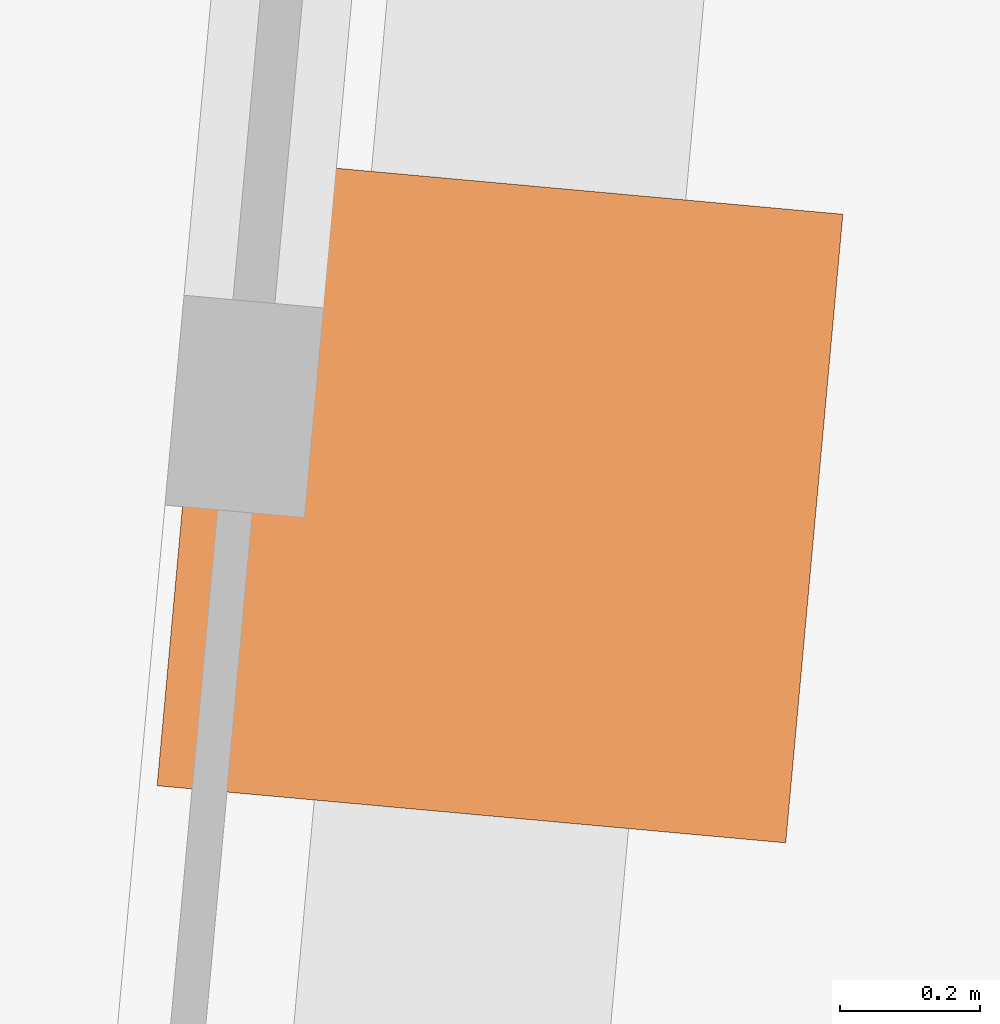
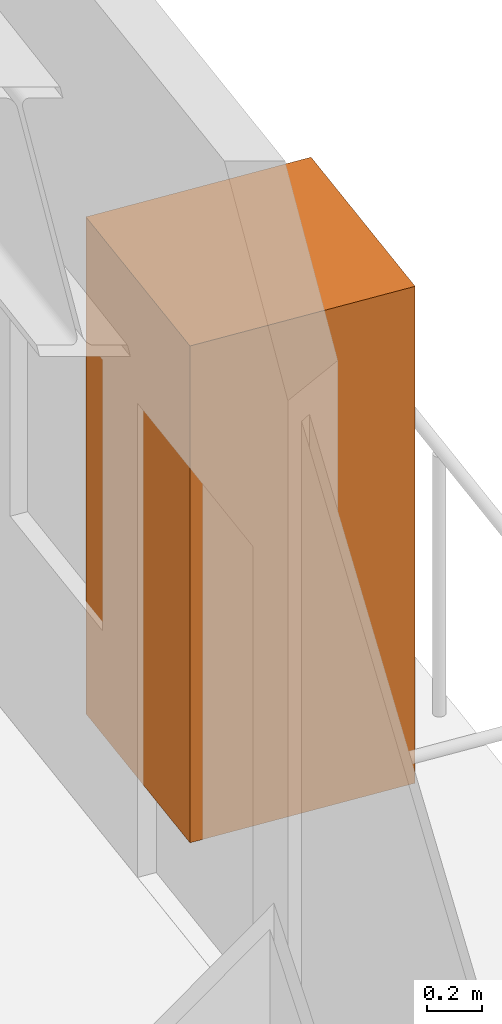
# One storey, part 8 of 8: 1 geographic element.
"""IFC4 building model written with IfcOpenShell, lengths in metres."""

import ifcopenshell
import ifcopenshell.guid

model = None  # the IFC model being written
_history = None  # IfcOwnerHistory: only IFC2X3 demands one
_inside = {}  # id of a spatial element -> (the spatial element, [elements in it])
_under = {}  # id of a project, library or spatial element -> (it, [spatial elements below it])
_declared = {}  # id of a project -> (the project, [libraries it declares])
_typed = {}  # id of a type object -> (the type object, [elements of that type])
_made_of = {}  # id of a material, layer set ... -> (it, [elements and type objects made of it])


def new_model(schema):
    """Start an empty IFC model of exactly this schema.

    Asked for "IFC4X3", IfcOpenShell would pick the latest addendum, in which some entities
    have other attributes; the version numbers below select the first issue.
    IFC2X3 requires an IfcOwnerHistory on every rooted entity: one is made here for all.
    """
    global model, _history
    if schema == "IFC4X3":
        model = ifcopenshell.file(schema_version=(4, 3, 0, 0))
    else:
        model = ifcopenshell.file(schema=schema)
    _inside.clear()
    _under.clear()
    _declared.clear()
    _typed.clear()
    _made_of.clear()
    _history = None
    if model.schema == "IFC2X3":
        org = make("IfcOrganization", Name="unknown")
        user = make(
            "IfcPersonAndOrganization",
            ThePerson=make("IfcPerson", FamilyName="unknown"),
            TheOrganization=org,
        )
        app = make(
            "IfcApplication",
            ApplicationDeveloper=org,
            Version="unknown",
            ApplicationFullName="unknown",
            ApplicationIdentifier="unknown",
        )
        _history = make(
            "IfcOwnerHistory",
            OwningUser=user,
            OwningApplication=app,
            ChangeAction="ADDED",
            CreationDate=0,
        )
    return model


def make(cls, **values):
    """One entity of the class cls with the attributes given. An attribute that is None is left unset."""
    return model.create_entity(
        cls, **{name: value for name, value in values.items() if value is not None}
    )


def rooted(cls, **values):
    """An entity with a GlobalId (a new one), such as an element, a storey or a relation."""
    return make(cls, GlobalId=ifcopenshell.guid.new(), OwnerHistory=_history, **values)


def si_unit(unit_type, name, prefix=None):
    """IfcSIUnit, for example si_unit("LENGTHUNIT", "METRE", prefix="MILLI")."""
    return make("IfcSIUnit", UnitType=unit_type, Prefix=prefix, Name=name)


def assignment(units):
    """IfcUnitAssignment: the units of a project."""
    return None if units is None else make("IfcUnitAssignment", Units=units)


def point(xyz):
    """IfcCartesianPoint."""
    return None if xyz is None else make("IfcCartesianPoint", Coordinates=xyz)


def direction(xyz):
    """IfcDirection."""
    return None if xyz is None else make("IfcDirection", DirectionRatios=xyz)


def frame(location, z_axis=None, x_axis=None):
    """IfcAxis2Placement3D, a coordinate frame: its origin and axes. An axis left out is left unset."""
    return make(
        "IfcAxis2Placement3D",
        Location=point(location),
        Axis=direction(z_axis),
        RefDirection=direction(x_axis),
    )


def frame_2d(location, x_axis=None):
    """IfcAxis2Placement2D, a coordinate frame in the plane: its origin and x axis."""
    return make(
        "IfcAxis2Placement2D", Location=point(location), RefDirection=direction(x_axis)
    )


def origin():
    """The frame at (0, 0, 0) with its axes left unset."""
    return frame((0.0, 0.0, 0.0))


def origin_2d():
    """The frame at (0, 0) in the plane with its x axis left unset."""
    return frame_2d((0.0, 0.0))


def place(relative_to, where):
    """IfcLocalPlacement: puts the frame where relative to a parent placement (None: the world)."""
    return make(
        "IfcLocalPlacement", PlacementRelTo=relative_to, RelativePlacement=where
    )


def context(
    kind, dimensions, precision=None, world=None, true_north=None, identifier=None
):
    """IfcGeometricRepresentationContext, for example the 3D "Model" context."""
    return make(
        "IfcGeometricRepresentationContext",
        ContextIdentifier=identifier,
        ContextType=kind,
        CoordinateSpaceDimension=dimensions,
        Precision=precision,
        WorldCoordinateSystem=world,
        TrueNorth=true_north,
    )


def subcontext(parent, identifier, kind, view, scale=None):
    """IfcGeometricRepresentationSubContext, for example "Body" below "Model"."""
    return make(
        "IfcGeometricRepresentationSubContext",
        ContextIdentifier=identifier,
        ContextType=kind,
        ParentContext=parent,
        TargetScale=scale,
        TargetView=view,
    )


def project(units=None, contexts=None):
    """IfcProject with its units and contexts."""
    return rooted(
        "IfcProject",
        Name="project",
        RepresentationContexts=contexts,
        UnitsInContext=assignment(units),
    )


def spatial(cls, under=None, at=None, **own):
    """A site, building, storey or space (cls), placed at a placement, below another one or the project."""
    s = rooted(cls, ObjectPlacement=at, **own)
    if under is not None:
        _under.setdefault(under.id(), (under, []))[1].append(s)
    return s


def profile(cls, at=None, kind="AREA", **sizes):
    """A parametric profile (cls). Its sizes go by their IFC names, for example OverallWidth=200.0."""
    return make(cls, ProfileType=kind, Position=at, **sizes)


def rectangle(**sizes):
    """IfcRectangleProfileDef."""
    return profile("IfcRectangleProfileDef", **sizes)


def extrude(swept, where, along, depth):
    """IfcExtrudedAreaSolid: the profile swept, set in the frame where, extruded along a direction by depth."""
    return make(
        "IfcExtrudedAreaSolid",
        SweptArea=swept,
        Position=where,
        ExtrudedDirection=direction(along),
        Depth=depth,
    )


def shape(context_of_items, identifier, shape_type, items):
    """IfcShapeRepresentation: the items that make up one representation, for example the "Body"."""
    return make(
        "IfcShapeRepresentation",
        ContextOfItems=context_of_items,
        RepresentationIdentifier=identifier,
        RepresentationType=shape_type,
        Items=items,
    )


def material(Name=None, Category=None):
    """IfcMaterial."""
    return make("IfcMaterial", Name=Name, Category=Category)


def made_of(thing, what):
    """Note that an element or type object is made of a material, layer set ...; save() writes the relation."""
    if what is not None:
        _made_of.setdefault(what.id(), (what, []))[1].append(thing)
    return thing


def type_object(cls, material=None, **own):
    """A type object (cls), such as IfcWallType, which elements share."""
    return made_of(rooted(cls, **own), material)


def element(
    cls,
    number,
    at=None,
    inside=None,
    cuts=None,
    type_object=None,
    material=None,
    context=None,
    identifier="Body",
    shape_type=None,
    held_by="IfcProductDefinitionShape",
    body=None,
    shapes=None,
    **own,
):
    """One element of the class cls, such as IfcWall. Its Tag is "e" and its number.

    at: its placement. inside: the storey or other place that contains it. cuts: it is an
    opening in that element (IfcRelVoidsElement). A single representation is given by context,
    identifier, shape_type and body (its items); several are given by shapes. held_by: the class
    of the entity that holds the representations. save() writes the other relations.
    """
    e = rooted(cls, Tag="e%d" % number, ObjectPlacement=at, **own)
    if body is not None:
        shapes = [shape(context, identifier, shape_type, body)]
    if shapes is not None:
        e.Representation = make(held_by, Representations=shapes)
    if inside is not None:
        _inside.setdefault(inside.id(), (inside, []))[1].append(e)
    if cuts is not None:
        rooted(
            "IfcRelVoidsElement", RelatingBuildingElement=cuts, RelatedOpeningElement=e
        )
    if type_object is not None:
        _typed.setdefault(type_object.id(), (type_object, []))[1].append(e)
    return made_of(e, material)


def aggregate(whole, parts):
    """IfcRelAggregates: a whole, such as a stair, and the parts it consists of."""
    return rooted("IfcRelAggregates", RelatingObject=whole, RelatedObjects=parts)


def save(model, path):
    """Write the relations noted so far, then the file.

    IfcRelAggregates (storeys below a building ...), IfcRelContainedInSpatialStructure (elements
    in a storey), IfcRelDefinesByType, IfcRelAssociatesMaterial and IfcRelDeclares: one each for
    every whole, place, type object, material and project.
    """
    for whole, parts in _under.values():
        aggregate(whole, parts)
    for where, things in _inside.values():
        rooted(
            "IfcRelContainedInSpatialStructure",
            RelatedElements=things,
            RelatingStructure=where,
        )
    for kind, things in _typed.values():
        rooted("IfcRelDefinesByType", RelatedObjects=things, RelatingType=kind)
    for what, things in _made_of.values():
        rooted("IfcRelAssociatesMaterial", RelatedObjects=things, RelatingMaterial=what)
    for by, libraries in _declared.values():
        rooted("IfcRelDeclares", RelatingContext=by, RelatedDefinitions=libraries)
    model.write(path)


model = new_model("IFC4")

# Units and contexts
model_context = context("Model", 3, precision=1e-05, world=origin(), true_north=direction((0.0, 1.0)))
body_context = subcontext(model_context, "Body", "Model", "MODEL_VIEW")
ifc_project = project(units=[si_unit("LENGTHUNIT", "METRE"), si_unit("AREAUNIT", "SQUARE_METRE"), si_unit("VOLUMEUNIT", "CUBIC_METRE"), si_unit("PLANEANGLEUNIT", "RADIAN"), si_unit("MASSUNIT", "GRAM", prefix="KILO")], contexts=[model_context])

# Site, building, storey
site_placement = place(None, origin())
site = spatial("IfcSite", under=ifc_project, at=site_placement, CompositionType="ELEMENT")
building_placement = place(site_placement, origin())
building = spatial("IfcBuilding", under=site, at=building_placement, Name="Verdant Reach Tower", CompositionType="ELEMENT")
storey_placement = place(building_placement, frame((0.0, 0.0, 18.0)))
storey = spatial("IfcBuildingStorey", under=building, at=storey_placement, Name="L03", CompositionType="ELEMENT", Elevation=18.0)

# Geographic element
ifc_material = material(Name="Planting")
geographic_element_type = type_object("IfcGeographicElementType", Name="EN-TREE", PredefinedType="USERDEFINED", material=ifc_material)
geographic_element_placement = place(storey_placement, frame((24.09814453125, 34.83203125, 0.39990234375), z_axis=(0.0, 0.0, 1.0), x_axis=(0.090535746047, 0.995893206467, 0.0)))
element("IfcGeographicElement", 1, at=geographic_element_placement, inside=storey, type_object=geographic_element_type, Name="Balcony tree, Surinam cherry (Eugenia uniflora), L03 1", ObjectType="TREE", PredefinedType="USERDEFINED", context=body_context, shape_type="SweptSolid", body=[
    extrude(rectangle(XDim=0.89990234375, YDim=0.89990234375, at=origin_2d()), origin(), (0.0, 0.0, 1.0), 2.199951171875),
])

save(model, "model.ifc")
